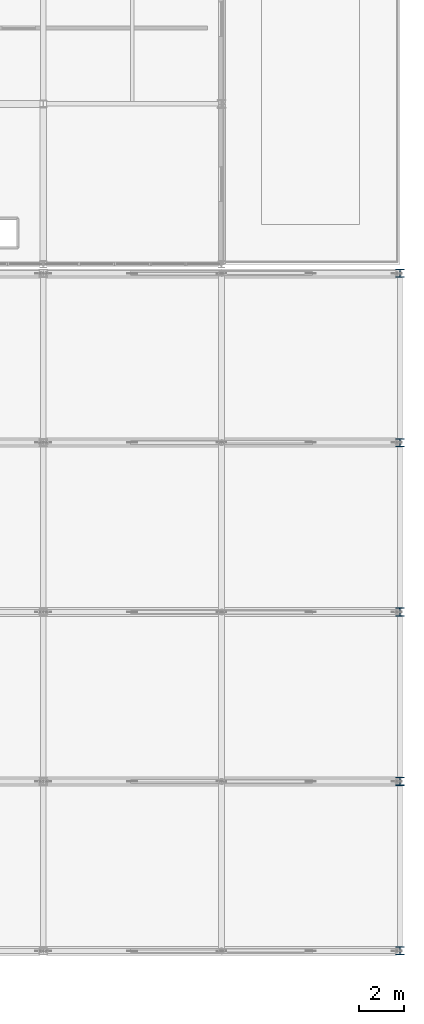
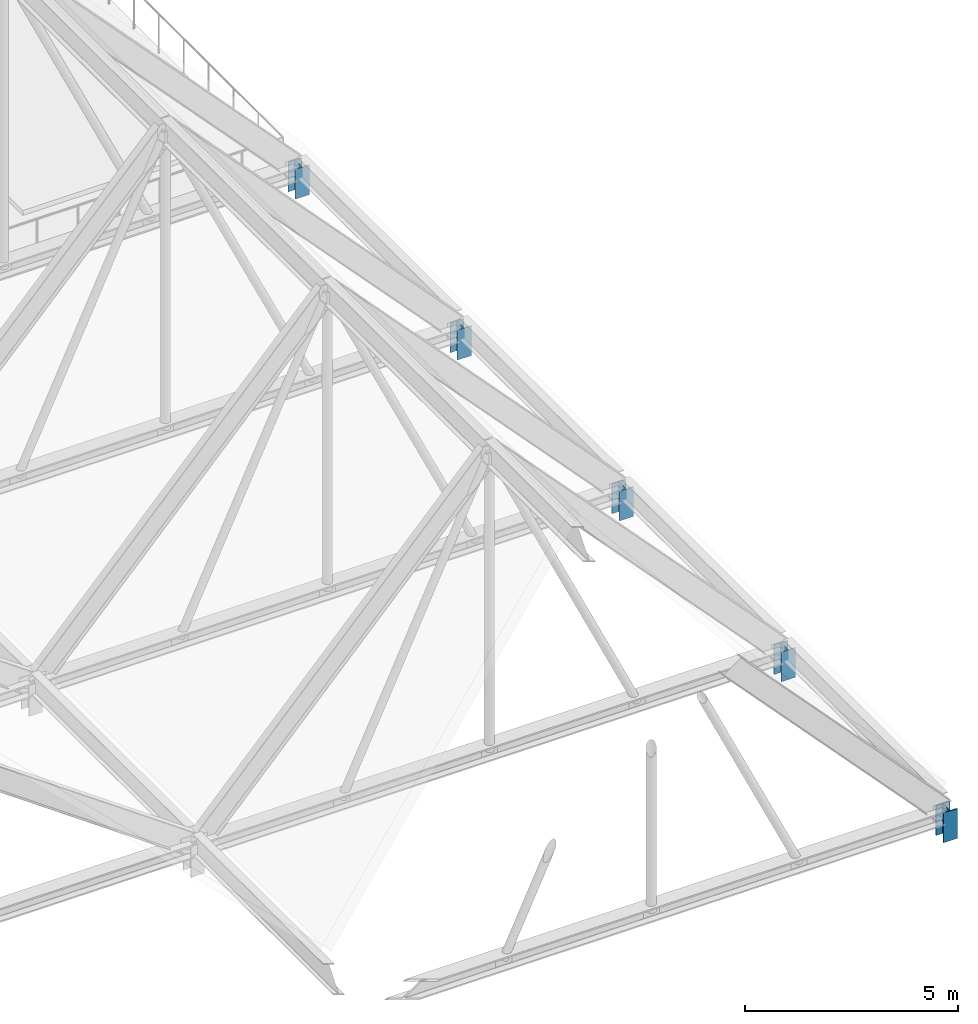
# One storey, part 18 of 100: 5 columns.
"""IFC4 building model written with IfcOpenShell, lengths in metres."""

import ifcopenshell
import ifcopenshell.guid

model = None  # the IFC model being written
_history = None  # IfcOwnerHistory: only IFC2X3 demands one
_inside = {}  # id of a spatial element -> (the spatial element, [elements in it])
_under = {}  # id of a project, library or spatial element -> (it, [spatial elements below it])
_declared = {}  # id of a project -> (the project, [libraries it declares])
_typed = {}  # id of a type object -> (the type object, [elements of that type])
_made_of = {}  # id of a material, layer set ... -> (it, [elements and type objects made of it])


def new_model(schema):
    """Start an empty IFC model of exactly this schema.

    Asked for "IFC4X3", IfcOpenShell would pick the latest addendum, in which some entities
    have other attributes; the version numbers below select the first issue.
    IFC2X3 requires an IfcOwnerHistory on every rooted entity: one is made here for all.
    """
    global model, _history
    if schema == "IFC4X3":
        model = ifcopenshell.file(schema_version=(4, 3, 0, 0))
    else:
        model = ifcopenshell.file(schema=schema)
    _inside.clear()
    _under.clear()
    _declared.clear()
    _typed.clear()
    _made_of.clear()
    _history = None
    if model.schema == "IFC2X3":
        org = make("IfcOrganization", Name="unknown")
        user = make(
            "IfcPersonAndOrganization",
            ThePerson=make("IfcPerson", FamilyName="unknown"),
            TheOrganization=org,
        )
        app = make(
            "IfcApplication",
            ApplicationDeveloper=org,
            Version="unknown",
            ApplicationFullName="unknown",
            ApplicationIdentifier="unknown",
        )
        _history = make(
            "IfcOwnerHistory",
            OwningUser=user,
            OwningApplication=app,
            ChangeAction="ADDED",
            CreationDate=0,
        )
    return model


def make(cls, **values):
    """One entity of the class cls with the attributes given. An attribute that is None is left unset."""
    return model.create_entity(
        cls, **{name: value for name, value in values.items() if value is not None}
    )


def rooted(cls, **values):
    """An entity with a GlobalId (a new one), such as an element, a storey or a relation."""
    return make(cls, GlobalId=ifcopenshell.guid.new(), OwnerHistory=_history, **values)


def si_unit(unit_type, name, prefix=None):
    """IfcSIUnit, for example si_unit("LENGTHUNIT", "METRE", prefix="MILLI")."""
    return make("IfcSIUnit", UnitType=unit_type, Prefix=prefix, Name=name)


def assignment(units):
    """IfcUnitAssignment: the units of a project."""
    return None if units is None else make("IfcUnitAssignment", Units=units)


def point(xyz):
    """IfcCartesianPoint."""
    return None if xyz is None else make("IfcCartesianPoint", Coordinates=xyz)


def direction(xyz):
    """IfcDirection."""
    return None if xyz is None else make("IfcDirection", DirectionRatios=xyz)


def frame(location, z_axis=None, x_axis=None):
    """IfcAxis2Placement3D, a coordinate frame: its origin and axes. An axis left out is left unset."""
    return make(
        "IfcAxis2Placement3D",
        Location=point(location),
        Axis=direction(z_axis),
        RefDirection=direction(x_axis),
    )


def frame_2d(location, x_axis=None):
    """IfcAxis2Placement2D, a coordinate frame in the plane: its origin and x axis."""
    return make(
        "IfcAxis2Placement2D", Location=point(location), RefDirection=direction(x_axis)
    )


def origin():
    """The frame at (0, 0, 0) with its axes left unset."""
    return frame((0.0, 0.0, 0.0))


def origin_2d():
    """The frame at (0, 0) in the plane with its x axis left unset."""
    return frame_2d((0.0, 0.0))


def place(relative_to, where):
    """IfcLocalPlacement: puts the frame where relative to a parent placement (None: the world)."""
    return make(
        "IfcLocalPlacement", PlacementRelTo=relative_to, RelativePlacement=where
    )


def context(
    kind, dimensions, precision=None, world=None, true_north=None, identifier=None
):
    """IfcGeometricRepresentationContext, for example the 3D "Model" context."""
    return make(
        "IfcGeometricRepresentationContext",
        ContextIdentifier=identifier,
        ContextType=kind,
        CoordinateSpaceDimension=dimensions,
        Precision=precision,
        WorldCoordinateSystem=world,
        TrueNorth=true_north,
    )


def subcontext(parent, identifier, kind, view, scale=None):
    """IfcGeometricRepresentationSubContext, for example "Body" below "Model"."""
    return make(
        "IfcGeometricRepresentationSubContext",
        ContextIdentifier=identifier,
        ContextType=kind,
        ParentContext=parent,
        TargetScale=scale,
        TargetView=view,
    )


def project(units=None, contexts=None):
    """IfcProject with its units and contexts."""
    return rooted(
        "IfcProject",
        Name="project",
        RepresentationContexts=contexts,
        UnitsInContext=assignment(units),
    )


def spatial(cls, under=None, at=None, **own):
    """A site, building, storey or space (cls), placed at a placement, below another one or the project."""
    s = rooted(cls, ObjectPlacement=at, **own)
    if under is not None:
        _under.setdefault(under.id(), (under, []))[1].append(s)
    return s


def profile(cls, at=None, kind="AREA", **sizes):
    """A parametric profile (cls). Its sizes go by their IFC names, for example OverallWidth=200.0."""
    return make(cls, ProfileType=kind, Position=at, **sizes)


def i_section(**sizes):
    """IfcIShapeProfileDef."""
    return profile("IfcIShapeProfileDef", **sizes)


def extrude(swept, where, along, depth):
    """IfcExtrudedAreaSolid: the profile swept, set in the frame where, extruded along a direction by depth."""
    return make(
        "IfcExtrudedAreaSolid",
        SweptArea=swept,
        Position=where,
        ExtrudedDirection=direction(along),
        Depth=depth,
    )


def shape(context_of_items, identifier, shape_type, items):
    """IfcShapeRepresentation: the items that make up one representation, for example the "Body"."""
    return make(
        "IfcShapeRepresentation",
        ContextOfItems=context_of_items,
        RepresentationIdentifier=identifier,
        RepresentationType=shape_type,
        Items=items,
    )


def material(Name=None, Category=None):
    """IfcMaterial."""
    return make("IfcMaterial", Name=Name, Category=Category)


def material_profile(
    of_material, cross_section, Name=None, Category=None, Priority=None
):
    """IfcMaterialProfile: a cross section and its material."""
    return make(
        "IfcMaterialProfile",
        Name=Name,
        Material=of_material,
        Profile=cross_section,
        Priority=Priority,
        Category=Category,
    )


def profile_set(profiles, Name=None, composite=None):
    """IfcMaterialProfileSet."""
    return make(
        "IfcMaterialProfileSet",
        Name=Name,
        MaterialProfiles=profiles,
        CompositeProfile=composite,
    )


def made_of(thing, what):
    """Note that an element or type object is made of a material, layer set ...; save() writes the relation."""
    if what is not None:
        _made_of.setdefault(what.id(), (what, []))[1].append(thing)
    return thing


def type_object(cls, material=None, **own):
    """A type object (cls), such as IfcWallType, which elements share."""
    return made_of(rooted(cls, **own), material)


def element(
    cls,
    number,
    at=None,
    inside=None,
    cuts=None,
    type_object=None,
    material=None,
    context=None,
    identifier="Body",
    shape_type=None,
    held_by="IfcProductDefinitionShape",
    body=None,
    shapes=None,
    **own,
):
    """One element of the class cls, such as IfcWall. Its Tag is "e" and its number.

    at: its placement. inside: the storey or other place that contains it. cuts: it is an
    opening in that element (IfcRelVoidsElement). A single representation is given by context,
    identifier, shape_type and body (its items); several are given by shapes. held_by: the class
    of the entity that holds the representations. save() writes the other relations.
    """
    e = rooted(cls, Tag="e%d" % number, ObjectPlacement=at, **own)
    if body is not None:
        shapes = [shape(context, identifier, shape_type, body)]
    if shapes is not None:
        e.Representation = make(held_by, Representations=shapes)
    if inside is not None:
        _inside.setdefault(inside.id(), (inside, []))[1].append(e)
    if cuts is not None:
        rooted(
            "IfcRelVoidsElement", RelatingBuildingElement=cuts, RelatedOpeningElement=e
        )
    if type_object is not None:
        _typed.setdefault(type_object.id(), (type_object, []))[1].append(e)
    return made_of(e, material)


def aggregate(whole, parts):
    """IfcRelAggregates: a whole, such as a stair, and the parts it consists of."""
    return rooted("IfcRelAggregates", RelatingObject=whole, RelatedObjects=parts)


def save(model, path):
    """Write the relations noted so far, then the file.

    IfcRelAggregates (storeys below a building ...), IfcRelContainedInSpatialStructure (elements
    in a storey), IfcRelDefinesByType, IfcRelAssociatesMaterial and IfcRelDeclares: one each for
    every whole, place, type object, material and project.
    """
    for whole, parts in _under.values():
        aggregate(whole, parts)
    for where, things in _inside.values():
        rooted(
            "IfcRelContainedInSpatialStructure",
            RelatedElements=things,
            RelatingStructure=where,
        )
    for kind, things in _typed.values():
        rooted("IfcRelDefinesByType", RelatedObjects=things, RelatingType=kind)
    for what, things in _made_of.values():
        rooted("IfcRelAssociatesMaterial", RelatedObjects=things, RelatingMaterial=what)
    for by, libraries in _declared.values():
        rooted("IfcRelDeclares", RelatingContext=by, RelatedDefinitions=libraries)
    model.write(path)


model = new_model("IFC4")

# Units and contexts
model_context = context("Model", 3, precision=1e-05, world=origin(), true_north=direction((0.0, 1.0)))
body_context = subcontext(model_context, "Body", "Model", "MODEL_VIEW")
ifc_project = project(units=[si_unit("LENGTHUNIT", "METRE"), si_unit("AREAUNIT", "SQUARE_METRE"), si_unit("VOLUMEUNIT", "CUBIC_METRE"), si_unit("PLANEANGLEUNIT", "RADIAN"), si_unit("MASSUNIT", "GRAM", prefix="KILO")], contexts=[model_context])

# Site, building, storey
site_placement = place(None, origin())
site = spatial("IfcSite", under=ifc_project, at=site_placement, CompositionType="ELEMENT")
building_placement = place(site_placement, origin())
building = spatial("IfcBuilding", under=site, at=building_placement, Name="Zulena Civic Courthouse", CompositionType="ELEMENT")
storey_placement = place(building_placement, frame((0.0, 0.0, 20.39990234375)))
storey = spatial("IfcBuildingStorey", under=building, at=storey_placement, Name="L04", CompositionType="ELEMENT", Elevation=20.39990234375)

# Columns
ifc_material = material(Name="Steel ASTM A992 Grade 50", Category="steel")
ifc_material_profile = material_profile(ifc_material, i_section(OverallWidth=0.373046875, OverallDepth=0.367919921875, WebThickness=0.014892578125, FlangeThickness=0.02392578125, FilletRadius=0.01513671875, at=origin_2d()), Name="W14X120")
ifc_profile_set = profile_set([ifc_material_profile], Name="Steel ASTM A992 Grade 50")
column_type = type_object("IfcColumnType", Name="Col_W14X120", PredefinedType="COLUMN", material=ifc_profile_set)
for number, where, z_axis, x_axis, name in (
    (1, (172.0, 0.0, -0.19482421875), (0.0, 0.0, 1.0), (1.0, 0.0, 0.0), "col:foldV:L04:172.0:0.0"),
    (2, (172.0, 7.60009765625, -0.19482421875), (0.0, 0.0, 1.0), (1.0, 0.0, 0.0), "col:foldV:L04:172.0:7.6"),
    (3, (172.0, 15.199951171875, -0.19482421875), (0.0, 0.0, 1.0), (1.0, 0.0, 0.0), "col:foldV:L04:172.0:15.2"),
    (4, (172.0, 22.800048828125, -0.19482421875), (0.0, 0.0, 1.0), (1.0, 0.0, 0.0), "col:foldV:L04:172.0:22.8"),
    (5, (172.0, 30.39990234375, -0.19482421875), (0.0, 0.0, 1.0), (1.0, 0.0, 0.0), "col:foldV:L04:172.0:30.4"),
):
    element("IfcColumn", number, at=place(storey_placement, frame(where, z_axis=z_axis, x_axis=x_axis)), inside=storey, type_object=column_type, Name=name, PredefinedType="COLUMN", context=body_context, shape_type="SweptSolid", body=[
        extrude(i_section(OverallWidth=0.373046875, OverallDepth=0.367919921875, WebThickness=0.014892578125, FlangeThickness=0.02392578125, FilletRadius=0.01513671875, at=origin_2d()), origin(), (0.0, 0.0, 1.0), 0.85107421875),
    ])

save(model, "model.ifc")
